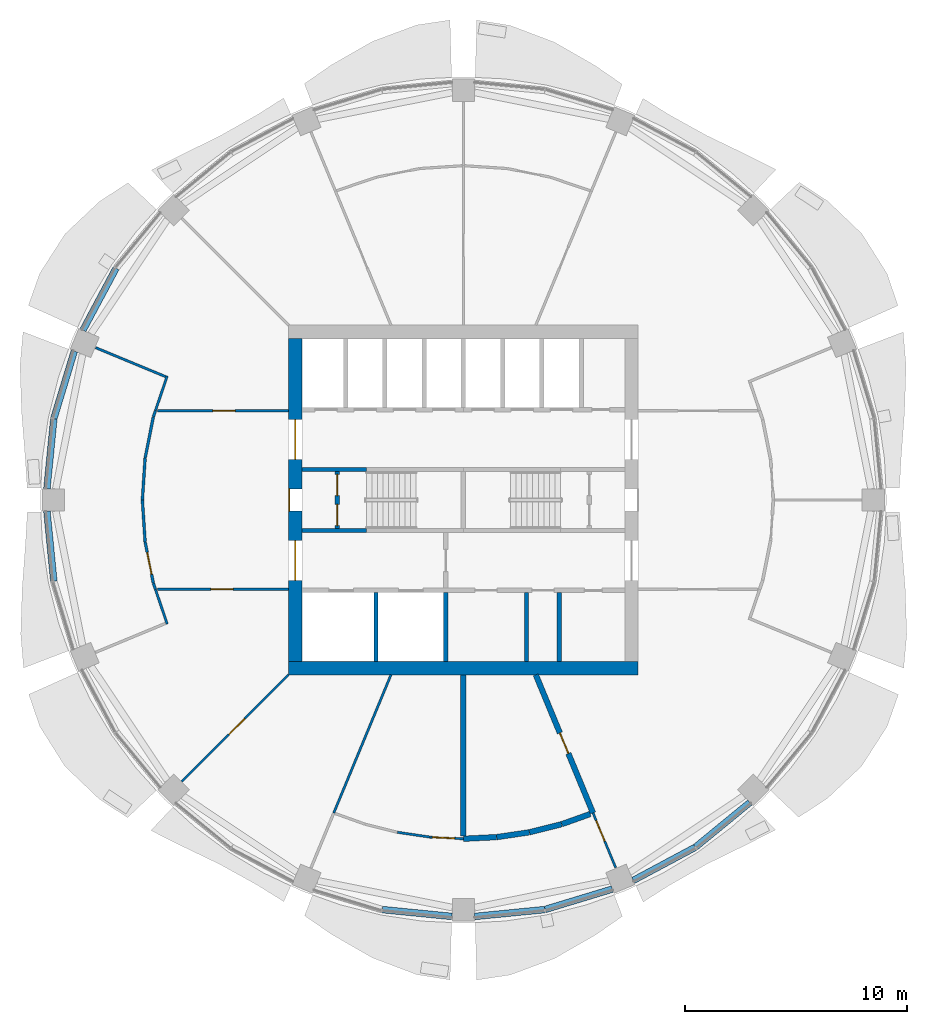
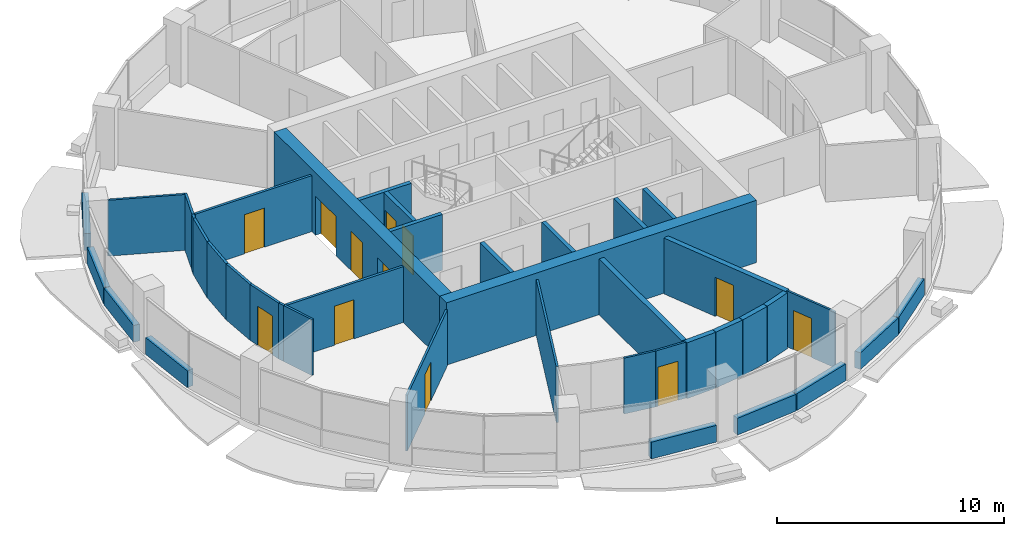
# One storey, part 8 of 15: 40 walls, 12 doors, 12 openings.
"""IFC4 building model written with IfcOpenShell, lengths in metres."""

import ifcopenshell
import ifcopenshell.guid

model = None  # the IFC model being written
_history = None  # IfcOwnerHistory: only IFC2X3 demands one
_inside = {}  # id of a spatial element -> (the spatial element, [elements in it])
_under = {}  # id of a project, library or spatial element -> (it, [spatial elements below it])
_declared = {}  # id of a project -> (the project, [libraries it declares])
_typed = {}  # id of a type object -> (the type object, [elements of that type])
_made_of = {}  # id of a material, layer set ... -> (it, [elements and type objects made of it])


def new_model(schema):
    """Start an empty IFC model of exactly this schema.

    Asked for "IFC4X3", IfcOpenShell would pick the latest addendum, in which some entities
    have other attributes; the version numbers below select the first issue.
    IFC2X3 requires an IfcOwnerHistory on every rooted entity: one is made here for all.
    """
    global model, _history
    if schema == "IFC4X3":
        model = ifcopenshell.file(schema_version=(4, 3, 0, 0))
    else:
        model = ifcopenshell.file(schema=schema)
    _inside.clear()
    _under.clear()
    _declared.clear()
    _typed.clear()
    _made_of.clear()
    _history = None
    if model.schema == "IFC2X3":
        org = make("IfcOrganization", Name="unknown")
        user = make(
            "IfcPersonAndOrganization",
            ThePerson=make("IfcPerson", FamilyName="unknown"),
            TheOrganization=org,
        )
        app = make(
            "IfcApplication",
            ApplicationDeveloper=org,
            Version="unknown",
            ApplicationFullName="unknown",
            ApplicationIdentifier="unknown",
        )
        _history = make(
            "IfcOwnerHistory",
            OwningUser=user,
            OwningApplication=app,
            ChangeAction="ADDED",
            CreationDate=0,
        )
    return model


def make(cls, **values):
    """One entity of the class cls with the attributes given. An attribute that is None is left unset."""
    return model.create_entity(
        cls, **{name: value for name, value in values.items() if value is not None}
    )


def rooted(cls, **values):
    """An entity with a GlobalId (a new one), such as an element, a storey or a relation."""
    return make(cls, GlobalId=ifcopenshell.guid.new(), OwnerHistory=_history, **values)


def si_unit(unit_type, name, prefix=None):
    """IfcSIUnit, for example si_unit("LENGTHUNIT", "METRE", prefix="MILLI")."""
    return make("IfcSIUnit", UnitType=unit_type, Prefix=prefix, Name=name)


def assignment(units):
    """IfcUnitAssignment: the units of a project."""
    return None if units is None else make("IfcUnitAssignment", Units=units)


def point(xyz):
    """IfcCartesianPoint."""
    return None if xyz is None else make("IfcCartesianPoint", Coordinates=xyz)


def direction(xyz):
    """IfcDirection."""
    return None if xyz is None else make("IfcDirection", DirectionRatios=xyz)


def frame(location, z_axis=None, x_axis=None):
    """IfcAxis2Placement3D, a coordinate frame: its origin and axes. An axis left out is left unset."""
    return make(
        "IfcAxis2Placement3D",
        Location=point(location),
        Axis=direction(z_axis),
        RefDirection=direction(x_axis),
    )


def frame_2d(location, x_axis=None):
    """IfcAxis2Placement2D, a coordinate frame in the plane: its origin and x axis."""
    return make(
        "IfcAxis2Placement2D", Location=point(location), RefDirection=direction(x_axis)
    )


def origin():
    """The frame at (0, 0, 0) with its axes left unset."""
    return frame((0.0, 0.0, 0.0))


def place(relative_to, where):
    """IfcLocalPlacement: puts the frame where relative to a parent placement (None: the world)."""
    return make(
        "IfcLocalPlacement", PlacementRelTo=relative_to, RelativePlacement=where
    )


def context(
    kind, dimensions, precision=None, world=None, true_north=None, identifier=None
):
    """IfcGeometricRepresentationContext, for example the 3D "Model" context."""
    return make(
        "IfcGeometricRepresentationContext",
        ContextIdentifier=identifier,
        ContextType=kind,
        CoordinateSpaceDimension=dimensions,
        Precision=precision,
        WorldCoordinateSystem=world,
        TrueNorth=true_north,
    )


def subcontext(parent, identifier, kind, view, scale=None):
    """IfcGeometricRepresentationSubContext, for example "Body" below "Model"."""
    return make(
        "IfcGeometricRepresentationSubContext",
        ContextIdentifier=identifier,
        ContextType=kind,
        ParentContext=parent,
        TargetScale=scale,
        TargetView=view,
    )


def project(units=None, contexts=None):
    """IfcProject with its units and contexts."""
    return rooted(
        "IfcProject",
        Name="project",
        RepresentationContexts=contexts,
        UnitsInContext=assignment(units),
    )


def spatial(cls, under=None, at=None, **own):
    """A site, building, storey or space (cls), placed at a placement, below another one or the project."""
    s = rooted(cls, ObjectPlacement=at, **own)
    if under is not None:
        _under.setdefault(under.id(), (under, []))[1].append(s)
    return s


def profile(cls, at=None, kind="AREA", **sizes):
    """A parametric profile (cls). Its sizes go by their IFC names, for example OverallWidth=200.0."""
    return make(cls, ProfileType=kind, Position=at, **sizes)


def rectangle(**sizes):
    """IfcRectangleProfileDef."""
    return profile("IfcRectangleProfileDef", **sizes)


def extrude(swept, where, along, depth):
    """IfcExtrudedAreaSolid: the profile swept, set in the frame where, extruded along a direction by depth."""
    return make(
        "IfcExtrudedAreaSolid",
        SweptArea=swept,
        Position=where,
        ExtrudedDirection=direction(along),
        Depth=depth,
    )


def shape(context_of_items, identifier, shape_type, items):
    """IfcShapeRepresentation: the items that make up one representation, for example the "Body"."""
    return make(
        "IfcShapeRepresentation",
        ContextOfItems=context_of_items,
        RepresentationIdentifier=identifier,
        RepresentationType=shape_type,
        Items=items,
    )


def material(Name=None, Category=None):
    """IfcMaterial."""
    return make("IfcMaterial", Name=Name, Category=Category)


def layer(
    of_material, thickness, ventilated=None, Name=None, Category=None, Priority=None
):
    """IfcMaterialLayer: one layer of a wall or slab, of a material (None: an air gap)."""
    return make(
        "IfcMaterialLayer",
        Material=of_material,
        LayerThickness=thickness,
        IsVentilated=ventilated,
        Name=Name,
        Category=Category,
        Priority=Priority,
    )


def layer_set(layers, Name=None):
    """IfcMaterialLayerSet."""
    return make("IfcMaterialLayerSet", MaterialLayers=layers, LayerSetName=Name)


def made_of(thing, what):
    """Note that an element or type object is made of a material, layer set ...; save() writes the relation."""
    if what is not None:
        _made_of.setdefault(what.id(), (what, []))[1].append(thing)
    return thing


def type_object(cls, material=None, **own):
    """A type object (cls), such as IfcWallType, which elements share."""
    return made_of(rooted(cls, **own), material)


def element(
    cls,
    number,
    at=None,
    inside=None,
    cuts=None,
    type_object=None,
    material=None,
    context=None,
    identifier="Body",
    shape_type=None,
    held_by="IfcProductDefinitionShape",
    body=None,
    shapes=None,
    **own,
):
    """One element of the class cls, such as IfcWall. Its Tag is "e" and its number.

    at: its placement. inside: the storey or other place that contains it. cuts: it is an
    opening in that element (IfcRelVoidsElement). A single representation is given by context,
    identifier, shape_type and body (its items); several are given by shapes. held_by: the class
    of the entity that holds the representations. save() writes the other relations.
    """
    e = rooted(cls, Tag="e%d" % number, ObjectPlacement=at, **own)
    if body is not None:
        shapes = [shape(context, identifier, shape_type, body)]
    if shapes is not None:
        e.Representation = make(held_by, Representations=shapes)
    if inside is not None:
        _inside.setdefault(inside.id(), (inside, []))[1].append(e)
    if cuts is not None:
        rooted(
            "IfcRelVoidsElement", RelatingBuildingElement=cuts, RelatedOpeningElement=e
        )
    if type_object is not None:
        _typed.setdefault(type_object.id(), (type_object, []))[1].append(e)
    return made_of(e, material)


def fill(opening, filler):
    """IfcRelFillsElement: the door or window that sits in an opening."""
    return rooted(
        "IfcRelFillsElement",
        RelatingOpeningElement=opening,
        RelatedBuildingElement=filler,
    )


def aggregate(whole, parts):
    """IfcRelAggregates: a whole, such as a stair, and the parts it consists of."""
    return rooted("IfcRelAggregates", RelatingObject=whole, RelatedObjects=parts)


def save(model, path):
    """Write the relations noted so far, then the file.

    IfcRelAggregates (storeys below a building ...), IfcRelContainedInSpatialStructure (elements
    in a storey), IfcRelDefinesByType, IfcRelAssociatesMaterial and IfcRelDeclares: one each for
    every whole, place, type object, material and project.
    """
    for whole, parts in _under.values():
        aggregate(whole, parts)
    for where, things in _inside.values():
        rooted(
            "IfcRelContainedInSpatialStructure",
            RelatedElements=things,
            RelatingStructure=where,
        )
    for kind, things in _typed.values():
        rooted("IfcRelDefinesByType", RelatedObjects=things, RelatingType=kind)
    for what, things in _made_of.values():
        rooted("IfcRelAssociatesMaterial", RelatedObjects=things, RelatingMaterial=what)
    for by, libraries in _declared.values():
        rooted("IfcRelDeclares", RelatingContext=by, RelatedDefinitions=libraries)
    model.write(path)


model = new_model("IFC4")

# Units and contexts
model_context = context("Model", 3, precision=1e-05, world=origin(), true_north=direction((0.0, 1.0)))
body_context = subcontext(model_context, "Body", "Model", "MODEL_VIEW")
ifc_project = project(units=[si_unit("LENGTHUNIT", "METRE"), si_unit("AREAUNIT", "SQUARE_METRE"), si_unit("VOLUMEUNIT", "CUBIC_METRE"), si_unit("PLANEANGLEUNIT", "RADIAN"), si_unit("MASSUNIT", "GRAM", prefix="KILO")], contexts=[model_context])

# Site, building, storey
site_placement = place(None, origin())
site = spatial("IfcSite", under=ifc_project, at=site_placement, CompositionType="ELEMENT")
building_placement = place(site_placement, origin())
building = spatial("IfcBuilding", under=site, at=building_placement, Name="Polderwave Tower", CompositionType="ELEMENT")
storey_placement = place(building_placement, frame((0.0, 0.0, 124.300048828125)))
storey = spatial("IfcBuildingStorey", under=building, at=storey_placement, Name="L32", CompositionType="ELEMENT", Elevation=124.300048828125)

# Wall
ifc_material_1 = material(Name="Concrete C60/75", Category="concrete")
ifc_layer_1 = layer(ifc_material_1, 0.60009765625)
ifc_layer_set_1 = layer_set([ifc_layer_1], Name="CORE WALL 600 C60/75")
wall_type_1 = type_object("IfcWallType", Name="CORE WALL 600 C60/75", PredefinedType="SHEAR", material=ifc_layer_set_1)
wall_1_placement = place(storey_placement, frame((-7.8740234375, -7.573974609375, 0.0), z_axis=(0.0, 0.0, 1.0), x_axis=(1.0, 0.0, 0.0)))
element("IfcWall", 1, at=wall_1_placement, inside=storey, type_object=wall_type_1, Name="ST-CORE-L32-S", PredefinedType="SHEAR", context=body_context, shape_type="SweptSolid", body=[
    extrude(rectangle(XDim=15.748046875, YDim=0.60009765625, at=frame_2d((7.8740234375, 0.0))), origin(), (0.0, 0.0, 1.0), 3.349853515625),
])

# Wall, openings, doors
wall_2_placement = place(storey_placement, frame((-7.573974609375, -7.27392578125, 0.0), z_axis=(0.0, 0.0, 1.0), x_axis=(0.0, 1.0, 0.0)))
wall_2 = element("IfcWall", 2, at=wall_2_placement, inside=storey, type_object=wall_type_1, Name="ST-CORE-L32-W", PredefinedType="SHEAR", context=body_context, shape_type="SweptSolid", body=[
    extrude(rectangle(XDim=14.5478515625, YDim=0.60009765625, at=frame_2d((7.27392578125, 0.0))), origin(), (0.0, 0.0, 1.0), 3.349853515625),
])
opening_1_placement = place(wall_2_placement, frame((6.77392578125, 0.0, 0.0)))
opening_1 = element("IfcOpeningElement", 3, at=opening_1_placement, cuts=wall_2, Name="Opening L32-D19", PredefinedType="OPENING", context=body_context, shape_type="SweptSolid", body=[
    extrude(rectangle(XDim=1.0, YDim=2.10009765625, at=frame_2d((0.5, 1.050048828125))), frame((0.0, 0.31005859375, 0.0), z_axis=(0.0, -1.0, 0.0), x_axis=(1.0, 0.0, 0.0)), (0.0, 0.0, 1.0), 0.6201171875),
])
opening_2_placement = place(wall_2_placement, frame((3.6494140625, 0.0, 0.0)))
opening_2 = element("IfcOpeningElement", 4, at=opening_2_placement, cuts=wall_2, Name="Opening L32-D20", PredefinedType="OPENING", context=body_context, shape_type="SweptSolid", body=[
    extrude(rectangle(XDim=1.800048828125, YDim=2.10009765625, at=frame_2d((0.89990234375, 1.050048828125))), frame((0.0, 0.31005859375, 0.0), z_axis=(0.0, -1.0, 0.0), x_axis=(1.0, 0.0, 0.0)), (0.0, 0.0, 1.0), 0.6201171875),
])
opening_3_placement = place(wall_2_placement, frame((9.098388671875, 0.0, 0.0)))
opening_3 = element("IfcOpeningElement", 5, at=opening_3_placement, cuts=wall_2, Name="Opening L32-D21", PredefinedType="OPENING", context=body_context, shape_type="SweptSolid", body=[
    extrude(rectangle(XDim=1.800048828125, YDim=2.10009765625, at=frame_2d((0.89990234375, 1.050048828125))), frame((0.0, 0.31005859375, 0.0), z_axis=(0.0, -1.0, 0.0), x_axis=(1.0, 0.0, 0.0)), (0.0, 0.0, 1.0), 0.6201171875),
])
ifc_material_2 = material(Name="Steel fire door", Category="steel")
door_type_1 = type_object("IfcDoorType", Name="Lobby entry door pair 1800", OperationType="DOUBLE_DOOR_SINGLE_SWING", PredefinedType="DOOR", material=ifc_material_2)
door_1_placement = place(opening_2_placement, origin())
door_1 = element("IfcDoor", 6, at=door_1_placement, inside=storey, type_object=door_type_1, Name="Fire-fighting lobby entry door", OperationType="DOUBLE_DOOR_SINGLE_SWING", OverallHeight=2.10009765625, OverallWidth=1.800048828125, PredefinedType="DOOR", context=body_context, shape_type="SweptSolid", body=[
    extrude(rectangle(XDim=1.800048828125, YDim=2.10009765625, at=frame_2d((0.89990234375, 1.050048828125))), frame((0.0, 0.02490234375, 0.0), z_axis=(0.0, -1.0, 0.0), x_axis=(1.0, 0.0, 0.0)), (0.0, 0.0, 1.0), 0.050048828125),
])
fill(opening_2, door_1)
door_2_placement = place(opening_3_placement, origin())
door_2 = element("IfcDoor", 7, at=door_2_placement, inside=storey, type_object=door_type_1, Name="North lobby entry door", OperationType="DOUBLE_DOOR_SINGLE_SWING", OverallHeight=2.10009765625, OverallWidth=1.800048828125, PredefinedType="DOOR", context=body_context, shape_type="SweptSolid", body=[
    extrude(rectangle(XDim=1.800048828125, YDim=2.10009765625, at=frame_2d((0.89990234375, 1.050048828125))), frame((0.0, 0.02490234375, 0.0), z_axis=(0.0, -1.0, 0.0), x_axis=(1.0, 0.0, 0.0)), (0.0, 0.0, 1.0), 0.050048828125),
])
fill(opening_3, door_2)
door_type_2 = type_object("IfcDoorType", Name="Stair door 1000", OperationType="NOTDEFINED", PredefinedType="DOOR", material=ifc_material_2)
door_3_placement = place(opening_1_placement, origin())
door_3 = element("IfcDoor", 8, at=door_3_placement, inside=storey, type_object=door_type_2, Name="Stair A entry door", OperationType="SINGLE_SWING_RIGHT", OverallHeight=2.10009765625, OverallWidth=1.0, PredefinedType="DOOR", context=body_context, shape_type="SweptSolid", body=[
    extrude(rectangle(XDim=1.0, YDim=2.10009765625, at=frame_2d((0.5, 1.050048828125))), frame((0.0, 0.2998046875, 0.0), z_axis=(0.0, -1.0, 0.0), x_axis=(1.0, 0.0, 0.0)), (0.0, 0.0, 1.0), 0.050048828125),
])
fill(opening_1, door_3)

# Walls
ifc_material_3 = material(Name="Concrete C50/60 (board-marked)", Category="concrete")
ifc_layer_2 = layer(ifc_material_3, 0.300048828125)
ifc_layer_set_2 = layer_set([ifc_layer_2], Name="Concrete spandrel upstand C50/60")
wall_type_2 = type_object("IfcWallType", Name="Concrete spandrel upstand C50/60", PredefinedType="SOLIDWALL", material=ifc_layer_set_2)
wall_3_placement = place(storey_placement, frame((-15.647216796875, 10.436767578125, 0.0), z_axis=(0.0, 0.0, 1.0), x_axis=(-0.471527722113, -0.881851238747, 0.0)))
element("IfcWall", 9, at=wall_3_placement, inside=storey, type_object=wall_type_2, Name="Spandrel L32 7b", PredefinedType="SOLIDWALL", context=body_context, shape_type="SweptSolid", body=[
    extrude(rectangle(XDim=3.1552734375, YDim=0.300048828125, at=frame_2d((1.57763671875, 0.0))), origin(), (0.0, 0.0, 1.0), 0.89990234375),
])
wall_4_placement = place(storey_placement, frame((-17.52734375, 6.70458984375, 0.0), z_axis=(0.0, 0.0, 1.0), x_axis=(-0.290503096001, -0.956874051907, 0.0)))
element("IfcWall", 10, at=wall_4_placement, inside=storey, type_object=wall_type_2, Name="Spandrel L32 8a", PredefinedType="SOLIDWALL", context=body_context, shape_type="SweptSolid", body=[
    extrude(rectangle(XDim=3.157470703125, YDim=0.300048828125, at=frame_2d((1.57861328125, 0.0))), origin(), (0.0, 0.0, 1.0), 0.89990234375),
])
for number, where, z_axis, x_axis, name in (
    (11, (-18.450439453125, 3.654052734375, 0.0), (0.0, 0.0, 1.0), (-0.097956108817, -0.995190735862, 0.0), "Spandrel L32 8b"),
    (12, (-18.759521484375, -0.513916015625, 0.0), (0.0, 0.0, 1.0), (0.097956108817, -0.995190735862, 0.0), "Spandrel L32 9a"),
    (13, (-3.654052734375, -18.450439453125, 0.0), (0.0, 0.0, 1.0), (0.995190735862, -0.097956108817, 0.0), "Spandrel L32 12b"),
    (14, (0.513916015625, -18.759521484375, 0.0), (0.0, 0.0, 1.0), (0.995190735862, 0.097956108817, 0.0), "Spandrel L32 13a"),
):
    element("IfcWall", number, at=place(storey_placement, frame(where, z_axis=z_axis, x_axis=x_axis)), inside=storey, type_object=wall_type_2, Name=name, PredefinedType="SOLIDWALL", context=body_context, shape_type="SweptSolid", body=[
        extrude(rectangle(XDim=3.1552734375, YDim=0.300048828125, at=frame_2d((1.57763671875, 0.0))), origin(), (0.0, 0.0, 1.0), 0.89990234375),
    ])
wall_5_placement = place(storey_placement, frame((3.683349609375, -18.444580078125, 0.0), z_axis=(0.0, 0.0, 1.0), x_axis=(0.956874051907, 0.290503096001, 0.0)))
element("IfcWall", 15, at=wall_5_placement, inside=storey, type_object=wall_type_2, Name="Spandrel L32 13b", PredefinedType="SOLIDWALL", context=body_context, shape_type="SweptSolid", body=[
    extrude(rectangle(XDim=3.157470703125, YDim=0.300048828125, at=frame_2d((1.57861328125, 0.0))), origin(), (0.0, 0.0, 1.0), 0.89990234375),
])
wall_6_placement = place(storey_placement, frame((7.654296875, -17.135009765625, 0.0), z_axis=(0.0, 0.0, 1.0), x_axis=(0.881851238747, 0.471527722113, 0.0)))
element("IfcWall", 16, at=wall_6_placement, inside=storey, type_object=wall_type_2, Name="Spandrel L32 14a", PredefinedType="SOLIDWALL", context=body_context, shape_type="SweptSolid", body=[
    extrude(rectangle(XDim=3.1552734375, YDim=0.300048828125, at=frame_2d((1.57763671875, 0.0))), origin(), (0.0, 0.0, 1.0), 0.89990234375),
])
wall_7_placement = place(storey_placement, frame((10.461669921875, -15.630615234375, 0.0), z_axis=(0.0, 0.0, 1.0), x_axis=(0.773136573193, 0.634239575548, 0.0)))
element("IfcWall", 17, at=wall_7_placement, inside=storey, type_object=wall_type_2, Name="Spandrel L32 14b", PredefinedType="SOLIDWALL", context=body_context, shape_type="SweptSolid", body=[
    extrude(rectangle(XDim=3.15673828125, YDim=0.300048828125, at=frame_2d((1.578369140625, 0.0))), origin(), (0.0, 0.0, 1.0), 0.89990234375),
])
ifc_material_4 = material(Name="Gypsum board partition")
ifc_layer_3 = layer(ifc_material_4, 0.199951171875)
ifc_layer_set_3 = layer_set([ifc_layer_3], Name="Core room partition 200")
wall_type_3 = type_object("IfcWallType", Name="Core room partition 200", PredefinedType="PARTITIONING", material=ifc_layer_set_3)
for number, where, z_axis, x_axis, name in (
    (18, (2.8427734375, -7.27392578125, 0.0), (0.0, 0.0, 1.0), (0.0, 1.0, 0.0), "L32 room partition S1"),
    (19, (4.321533203125, -7.27392578125, 0.0), (0.0, 0.0, 1.0), (0.0, 1.0, 0.0), "L32 room partition S2"),
):
    element("IfcWall", number, at=place(storey_placement, frame(where, z_axis=z_axis, x_axis=x_axis)), inside=storey, type_object=wall_type_3, Name=name, PredefinedType="PARTITIONING", context=body_context, shape_type="SweptSolid", body=[
        extrude(rectangle(XDim=3.099853515625, YDim=0.199951171875, at=frame_2d((1.5498046875, 0.0))), origin(), (0.0, 0.0, 1.0), 3.0),
    ])

# Wall, openings, doors
wall_8_placement = place(storey_placement, frame((-5.674072265625, -1.27490234375, 0.0), z_axis=(0.0, 0.0, 1.0), x_axis=(0.0, 1.0, 0.0)))
wall_8 = element("IfcWall", 20, at=wall_8_placement, inside=storey, type_object=wall_type_3, Name="L32 smoke lobby wall A", PredefinedType="PARTITIONING", context=body_context, shape_type="SweptSolid", body=[
    extrude(rectangle(XDim=2.5498046875, YDim=0.199951171875, at=frame_2d((1.27490234375, 0.0))), origin(), (0.0, 0.0, 1.0), 3.0),
])
opening_4_placement = place(wall_8_placement, frame((0.125, 0.0, 0.0)))
opening_4 = element("IfcOpeningElement", 21, at=opening_4_placement, cuts=wall_8, Name="Opening L32-D10", PredefinedType="OPENING", context=body_context, shape_type="SweptSolid", body=[
    extrude(rectangle(XDim=0.949951171875, YDim=2.10009765625, at=frame_2d((0.47509765625, 1.050048828125))), frame((0.0, 0.10986328125, 0.0), z_axis=(0.0, -1.0, 0.0), x_axis=(1.0, 0.0, 0.0)), (0.0, 0.0, 1.0), 0.219970703125),
])
opening_5_placement = place(wall_8_placement, frame((1.47509765625, 0.0, 0.0)))
opening_5 = element("IfcOpeningElement", 22, at=opening_5_placement, cuts=wall_8, Name="Opening L32-D11", PredefinedType="OPENING", context=body_context, shape_type="SweptSolid", body=[
    extrude(rectangle(XDim=0.949951171875, YDim=2.10009765625, at=frame_2d((0.47509765625, 1.050048828125))), frame((0.0, 0.10986328125, 0.0), z_axis=(0.0, -1.0, 0.0), x_axis=(1.0, 0.0, 0.0)), (0.0, 0.0, 1.0), 0.219970703125),
])
door_type_3 = type_object("IfcDoorType", Name="Smoke lobby door 950", OperationType="NOTDEFINED", PredefinedType="DOOR", material=ifc_material_2)
door_4_placement = place(opening_4_placement, origin())
door_4 = element("IfcDoor", 23, at=door_4_placement, inside=storey, type_object=door_type_3, Name="Stair A smoke lobby inner door", OperationType="SINGLE_SWING_LEFT", OverallHeight=2.10009765625, OverallWidth=0.949951171875, PredefinedType="DOOR", context=body_context, shape_type="SweptSolid", body=[
    extrude(rectangle(XDim=0.949951171875, YDim=2.10009765625, at=frame_2d((0.47509765625, 1.050048828125))), frame((0.0, 0.02490234375, 0.0), z_axis=(0.0, -1.0, 0.0), x_axis=(1.0, 0.0, 0.0)), (0.0, 0.0, 1.0), 0.050048828125),
])
fill(opening_4, door_4)
door_5_placement = place(opening_5_placement, origin())
door_5 = element("IfcDoor", 24, at=door_5_placement, inside=storey, type_object=door_type_3, Name="Stair A smoke lobby inner door", OperationType="SINGLE_SWING_RIGHT", OverallHeight=2.10009765625, OverallWidth=0.949951171875, PredefinedType="DOOR", context=body_context, shape_type="SweptSolid", body=[
    extrude(rectangle(XDim=0.949951171875, YDim=2.10009765625, at=frame_2d((0.47509765625, 1.050048828125))), frame((0.0, 0.02490234375, 0.0), z_axis=(0.0, -1.0, 0.0), x_axis=(1.0, 0.0, 0.0)), (0.0, 0.0, 1.0), 0.050048828125),
])
fill(opening_5, door_5)

# Walls
ifc_material_5 = material(Name="Concrete C50/60", Category="concrete")
ifc_layer_4 = layer(ifc_material_5, 0.199951171875)
ifc_layer_set_4 = layer_set([ifc_layer_4], Name="Core web wall 200")
wall_type_4 = type_object("IfcWallType", Name="Core web wall 200", PredefinedType="SHEAR", material=ifc_layer_set_4)
for number, where, z_axis, x_axis, name in (
    (25, (-7.27392578125, -1.375, 0.0), (0.0, 0.0, 1.0), (1.0, 0.0, 0.0), "L32 south stair wall 1"),
    (26, (-7.27392578125, 1.375, 0.0), (0.0, 0.0, 1.0), (1.0, 0.0, 0.0), "L32 north stair wall 1"),
):
    element("IfcWall", number, at=place(storey_placement, frame(where, z_axis=z_axis, x_axis=x_axis)), inside=storey, type_object=wall_type_4, Name=name, PredefinedType="SHEAR", context=body_context, shape_type="SweptSolid", body=[
        extrude(rectangle(XDim=2.89990234375, YDim=0.199951171875, at=frame_2d((1.449951171875, 0.0))), origin(), (0.0, 0.0, 1.0), 3.0),
    ])

# Wall, opening, door
ifc_material_6 = material(Name="Fire-resisting board on steel studs", Category="steel")
ifc_layer_5 = layer(ifc_material_6, 0.125)
ifc_layer_set_5 = layer_set([ifc_layer_5], Name="Corridor wall 125 mm EI 60")
wall_type_5 = type_object("IfcWallType", Name="Corridor wall 125 mm EI 60", PredefinedType="PARTITIONING", material=ifc_layer_set_5)
wall_9_placement = place(storey_placement, frame((-13.784423828125, 4.0244140625, 0.0), z_axis=(0.0, 0.0, 1.0), x_axis=(1.0, 0.0, 0.0)))
wall_9 = element("IfcWall", 27, at=wall_9_placement, inside=storey, type_object=wall_type_5, Name="IN-L32-W009", PredefinedType="PARTITIONING", context=body_context, shape_type="SweptSolid", body=[
    extrude(rectangle(XDim=5.910400390625, YDim=0.125, at=frame_2d((2.955078125, 0.0))), origin(), (0.0, 0.0, 1.0), 3.0),
])
opening_6_placement = place(wall_9_placement, frame((2.5, 0.0, 0.0)))
opening_6 = element("IfcOpeningElement", 28, at=opening_6_placement, cuts=wall_9, Name="Opening L32-D54", PredefinedType="OPENING", context=body_context, shape_type="SweptSolid", body=[
    extrude(rectangle(XDim=1.0, YDim=2.10009765625, at=frame_2d((0.5, 1.050048828125))), frame((0.0, 0.072509765625, 0.0), z_axis=(0.0, -1.0, 0.0), x_axis=(1.0, 0.0, 0.0)), (0.0, 0.0, 1.0), 0.14501953125),
])
ifc_material_7 = material(Name="Timber fire door leaf", Category="wood")
door_type_4 = type_object("IfcDoorType", Name="Fire door FD30S 1000 x 2100", OperationType="NOTDEFINED", PredefinedType="DOOR", material=ifc_material_7)
door_6_placement = place(opening_6_placement, origin())
door_6 = element("IfcDoor", 29, at=door_6_placement, inside=storey, type_object=door_type_4, Name="Door L32-D54", OperationType="SINGLE_SWING_RIGHT", OverallHeight=2.10009765625, OverallWidth=1.0, PredefinedType="DOOR", context=body_context, shape_type="SweptSolid", body=[
    extrude(rectangle(XDim=1.0, YDim=2.10009765625, at=frame_2d((0.5, 1.050048828125))), frame((0.0, 0.02490234375, 0.0), z_axis=(0.0, -1.0, 0.0), x_axis=(1.0, 0.0, 0.0)), (0.0, 0.0, 1.0), 0.050048828125),
])
fill(opening_6, door_6)

# Walls
for number, where, z_axis, x_axis, name in (
    (30, (-14.459716796875, 0.004150390625, 0.0), (0.0, 0.0, 1.0), (0.065340129587, 0.997863050456, 0.0), "IN-L32-W010"),
    (31, (-14.336669921875, -1.88330078125, 0.0), (0.0, 0.0, 1.0), (-0.065340129587, 0.997863050456, 0.0), "IN-L32-W011"),
):
    element("IfcWall", number, at=place(storey_placement, frame(where, z_axis=z_axis, x_axis=x_axis)), inside=storey, type_object=wall_type_5, Name=name, PredefinedType="PARTITIONING", context=body_context, shape_type="SweptSolid", body=[
        extrude(rectangle(XDim=1.883056640625, YDim=0.125, at=frame_2d((0.94140625, 0.0))), origin(), (0.0, 0.0, 1.0), 3.0),
    ])
wall_10_placement = place(storey_placement, frame((-14.33544921875, 1.891357421875, 0.0), z_axis=(0.0, 0.0, 1.0), x_axis=(0.195093941763, 0.980784560384, 0.0)))
element("IfcWall", 32, at=wall_10_placement, inside=storey, type_object=wall_type_5, Name="IN-L32-W012", PredefinedType="PARTITIONING", context=body_context, shape_type="SweptSolid", body=[
    extrude(rectangle(XDim=1.88330078125, YDim=0.125, at=frame_2d((0.941650390625, 0.0))), origin(), (0.0, 0.0, 1.0), 3.0),
])

# Wall, opening, door
wall_11_placement = place(storey_placement, frame((-13.968017578125, -3.738525390625, 0.0), z_axis=(0.0, 0.0, 1.0), x_axis=(-0.195093941763, 0.980784560384, 0.0)))
wall_11 = element("IfcWall", 33, at=wall_11_placement, inside=storey, type_object=wall_type_5, Name="IN-L32-W013", PredefinedType="PARTITIONING", context=body_context, shape_type="SweptSolid", body=[
    extrude(rectangle(XDim=1.88330078125, YDim=0.125, at=frame_2d((0.941650390625, 0.0))), origin(), (0.0, 0.0, 1.0), 3.0),
])
opening_7_placement = place(wall_11_placement, frame((0.39990234375, 0.0, 0.0)))
opening_7 = element("IfcOpeningElement", 34, at=opening_7_placement, cuts=wall_11, Name="Opening L32-D55", PredefinedType="OPENING", context=body_context, shape_type="SweptSolid", body=[
    extrude(rectangle(XDim=1.0, YDim=2.10009765625, at=frame_2d((0.5, 1.050048828125))), frame((0.0, 0.072509765625, 0.0), z_axis=(0.0, -1.0, 0.0), x_axis=(1.0, 0.0, 0.0)), (0.0, 0.0, 1.0), 0.14501953125),
])
door_7_placement = place(opening_7_placement, origin())
door_7 = element("IfcDoor", 35, at=door_7_placement, inside=storey, type_object=door_type_4, Name="Door L32-D55", OperationType="SINGLE_SWING_LEFT", OverallHeight=2.10009765625, OverallWidth=1.0, PredefinedType="DOOR", context=body_context, shape_type="SweptSolid", body=[
    extrude(rectangle(XDim=1.0, YDim=2.10009765625, at=frame_2d((0.5, 1.050048828125))), frame((0.0, 0.02490234375, 0.0), z_axis=(0.0, -1.0, 0.0), x_axis=(1.0, 0.0, 0.0)), (0.0, 0.0, 1.0), 0.050048828125),
])
fill(opening_7, door_7)

# Walls
for number, where, z_axis, x_axis, name in (
    (36, (-13.966064453125, 3.746337890625, 0.0), (0.0, 0.0, 1.0), (0.321708987491, 0.94683859626, 0.0), "IN-L32-W014"),
    (37, (-13.87158203125, -4.0244140625, 0.0), (0.0, 0.0, 1.0), (-0.321708987491, 0.94683859626, 0.0), "IN-L32-W015"),
):
    element("IfcWall", number, at=place(storey_placement, frame(where, z_axis=z_axis, x_axis=x_axis)), inside=storey, type_object=wall_type_5, Name=name, PredefinedType="PARTITIONING", context=body_context, shape_type="SweptSolid", body=[
        extrude(rectangle(XDim=0.293701171875, YDim=0.125, at=frame_2d((0.14697265625, 0.0))), origin(), (0.0, 0.0, 1.0), 3.0),
    ])

# Wall, opening, door
wall_12_placement = place(storey_placement, frame((-7.8740234375, -4.0244140625, 0.0), z_axis=(0.0, 0.0, 1.0), x_axis=(-1.0, 0.0, 0.0)))
wall_12 = element("IfcWall", 38, at=wall_12_placement, inside=storey, type_object=wall_type_5, Name="IN-L32-W016", PredefinedType="PARTITIONING", context=body_context, shape_type="SweptSolid", body=[
    extrude(rectangle(XDim=5.910400390625, YDim=0.125, at=frame_2d((2.955078125, 0.0))), origin(), (0.0, 0.0, 1.0), 3.0),
])
opening_8_placement = place(wall_12_placement, frame((2.5, 0.0, 0.0)))
opening_8 = element("IfcOpeningElement", 39, at=opening_8_placement, cuts=wall_12, Name="Opening L32-D56", PredefinedType="OPENING", context=body_context, shape_type="SweptSolid", body=[
    extrude(rectangle(XDim=1.0, YDim=2.10009765625, at=frame_2d((0.5, 1.050048828125))), frame((0.0, 0.072509765625, 0.0), z_axis=(0.0, -1.0, 0.0), x_axis=(1.0, 0.0, 0.0)), (0.0, 0.0, 1.0), 0.14501953125),
])
door_8_placement = place(opening_8_placement, origin())
door_8 = element("IfcDoor", 40, at=door_8_placement, inside=storey, type_object=door_type_4, Name="Door L32-D56", OperationType="SINGLE_SWING_RIGHT", OverallHeight=2.10009765625, OverallWidth=1.0, PredefinedType="DOOR", context=body_context, shape_type="SweptSolid", body=[
    extrude(rectangle(XDim=1.0, YDim=2.10009765625, at=frame_2d((0.5, 1.050048828125))), frame((0.0, 0.02490234375, 0.0), z_axis=(0.0, -1.0, 0.0), x_axis=(1.0, 0.0, 0.0)), (0.0, 0.0, 1.0), 0.050048828125),
])
fill(opening_8, door_8)

ifc_material_8 = material(Name="Plasterboard on steel studs", Category="steel")
ifc_layer_6 = layer(ifc_material_8, 0.10009765625)
ifc_layer_set_6 = layer_set([ifc_layer_6], Name="Partition 100 mm plasterboard on steel studs")
wall_type_6 = type_object("IfcWallType", Name="Partition 100 mm plasterboard on steel studs", PredefinedType="PARTITIONING", material=ifc_layer_set_6)
wall_13_placement = place(storey_placement, frame((-7.8740234375, -7.8740234375, 0.0), z_axis=(0.0, 0.0, 1.0), x_axis=(-0.707106781187, -0.707106781187, 0.0)))
wall_13 = element("IfcWall", 41, at=wall_13_placement, inside=storey, type_object=wall_type_6, Name="IN-L32-W037", PredefinedType="PARTITIONING", context=body_context, shape_type="SweptSolid", body=[
    extrude(rectangle(XDim=6.79443359375, YDim=0.10009765625, at=frame_2d((3.397216796875, 0.0))), origin(), (0.0, 0.0, 1.0), 3.0),
])
opening_9_placement = place(wall_13_placement, frame((2.800048828125, 0.0, 0.0)))
opening_9 = element("IfcOpeningElement", 42, at=opening_9_placement, cuts=wall_13, Name="Opening L32-D62", PredefinedType="OPENING", context=body_context, shape_type="SweptSolid", body=[
    extrude(rectangle(XDim=1.0, YDim=2.10009765625, at=frame_2d((0.5, 1.050048828125))), frame((0.0, 0.06005859375, 0.0), z_axis=(0.0, -1.0, 0.0), x_axis=(1.0, 0.0, 0.0)), (0.0, 0.0, 1.0), 0.1201171875),
])
ifc_material_9 = material(Name="Timber veneer door leaf", Category="wood")
door_type_5 = type_object("IfcDoorType", Name="Single door 1000 x 2100", OperationType="NOTDEFINED", PredefinedType="DOOR", material=ifc_material_9)
door_9_placement = place(opening_9_placement, origin())
door_9 = element("IfcDoor", 43, at=door_9_placement, inside=storey, type_object=door_type_5, Name="Door L32-D62", OperationType="SINGLE_SWING_LEFT", OverallHeight=2.10009765625, OverallWidth=1.0, PredefinedType="DOOR", context=body_context, shape_type="SweptSolid", body=[
    extrude(rectangle(XDim=1.0, YDim=2.10009765625, at=frame_2d((0.5, 1.050048828125))), frame((0.0, 0.02490234375, 0.0), z_axis=(0.0, -1.0, 0.0), x_axis=(1.0, 0.0, 0.0)), (0.0, 0.0, 1.0), 0.050048828125),
])
fill(opening_9, door_9)

wall_14_placement = place(storey_placement, frame((6.861572265625, -16.565185546875, 0.0), z_axis=(0.0, 0.0, 1.0), x_axis=(-0.382744787218, 0.923854116112, 0.0)))
wall_14 = element("IfcWall", 44, at=wall_14_placement, inside=storey, type_object=wall_type_6, Name="IN-L32-W049", PredefinedType="PARTITIONING", context=body_context, shape_type="SweptSolid", body=[
    extrude(rectangle(XDim=2.670166015625, YDim=0.10009765625, at=frame_2d((1.3349609375, 0.0))), origin(), (0.0, 0.0, 1.0), 3.0),
])
opening_10_placement = place(wall_14_placement, frame((1.300048828125, 0.0, 0.0)))
opening_10 = element("IfcOpeningElement", 45, at=opening_10_placement, cuts=wall_14, Name="Opening L32-D64", PredefinedType="OPENING", context=body_context, shape_type="SweptSolid", body=[
    extrude(rectangle(XDim=1.0, YDim=2.10009765625, at=frame_2d((0.5, 1.050048828125))), frame((0.0, 0.06005859375, 0.0), z_axis=(0.0, -1.0, 0.0), x_axis=(1.0, 0.0, 0.0)), (0.0, 0.0, 1.0), 0.1201171875),
])
door_10_placement = place(opening_10_placement, origin())
door_10 = element("IfcDoor", 46, at=door_10_placement, inside=storey, type_object=door_type_5, Name="Door L32-D64", OperationType="SINGLE_SWING_RIGHT", OverallHeight=2.10009765625, OverallWidth=1.0, PredefinedType="DOOR", context=body_context, shape_type="SweptSolid", body=[
    extrude(rectangle(XDim=1.0, YDim=2.10009765625, at=frame_2d((0.5, 1.050048828125))), frame((0.0, 0.02490234375, 0.0), z_axis=(0.0, -1.0, 0.0), x_axis=(1.0, 0.0, 0.0)), (0.0, 0.0, 1.0), 0.050048828125),
])
fill(opening_10, door_10)

# Walls
ifc_material_10 = material(Name="Moisture-resistant board on steel studs, tiled", Category="steel")
ifc_layer_7 = layer(ifc_material_10, 0.10498046875)
ifc_layer_set_7 = layer_set([ifc_layer_7], Name="Partition 105 mm wet room board and tile")
wall_type_7 = type_object("IfcWallType", Name="Partition 105 mm wet room board and tile", PredefinedType="PARTITIONING", material=ifc_layer_set_7)
wall_15_placement = place(storey_placement, frame((-3.261474609375, -7.8740234375, 0.0), z_axis=(0.0, 0.0, 1.0), x_axis=(-0.382671840259, -0.923884334034, 0.0)))
element("IfcWall", 47, at=wall_15_placement, inside=storey, type_object=wall_type_7, Name="IN-L32-W038", PredefinedType="PARTITIONING", context=body_context, shape_type="SweptSolid", body=[
    extrude(rectangle(XDim=6.737060546875, YDim=0.10498046875, at=frame_2d((3.36865234375, 0.0))), origin(), (0.0, 0.0, 1.0), 3.0),
])
wall_16_placement = place(storey_placement, frame((-1.498291015625, -15.18603515625, 0.0), z_axis=(0.0, 0.0, 1.0), x_axis=(-0.98919994883, 0.146572375418, 0.0)))
element("IfcWall", 48, at=wall_16_placement, inside=storey, type_object=wall_type_7, Name="IN-L32-W042", PredefinedType="PARTITIONING", context=body_context, shape_type="SweptSolid", body=[
    extrude(rectangle(XDim=1.492431640625, YDim=0.10498046875, at=frame_2d((0.74609375, 0.0))), origin(), (0.0, 0.0, 1.0), 3.0),
])

# Wall, opening, door
wall_17_placement = place(storey_placement, frame((-1.4931640625, -15.1865234375, 0.0), z_axis=(0.0, 0.0, 1.0), x_axis=(0.99879112895, -0.049155678518, 0.0)))
wall_17 = element("IfcWall", 49, at=wall_17_placement, inside=storey, type_object=wall_type_7, Name="IN-L32-W043", PredefinedType="PARTITIONING", context=body_context, shape_type="SweptSolid", body=[
    extrude(rectangle(XDim=1.494873046875, YDim=0.10498046875, at=frame_2d((0.74755859375, 0.0))), origin(), (0.0, 0.0, 1.0), 3.0),
])
opening_11_placement = place(wall_17_placement, frame((0.10009765625, 0.0, 0.0)))
opening_11 = element("IfcOpeningElement", 50, at=opening_11_placement, cuts=wall_17, Name="Opening L32-D63", PredefinedType="OPENING", context=body_context, shape_type="SweptSolid", body=[
    extrude(rectangle(XDim=1.0, YDim=2.10009765625, at=frame_2d((0.5, 1.050048828125))), frame((0.0, 0.0625, 0.0), z_axis=(0.0, -1.0, 0.0), x_axis=(1.0, 0.0, 0.0)), (0.0, 0.0, 1.0), 0.125),
])
door_11_placement = place(opening_11_placement, origin())
door_11 = element("IfcDoor", 51, at=door_11_placement, inside=storey, type_object=door_type_5, Name="Door L32-D63", OperationType="SINGLE_SWING_LEFT", OverallHeight=2.10009765625, OverallWidth=1.0, PredefinedType="DOOR", context=body_context, shape_type="SweptSolid", body=[
    extrude(rectangle(XDim=1.0, YDim=2.10009765625, at=frame_2d((0.5, 1.050048828125))), frame((0.0, 0.02490234375, 0.0), z_axis=(0.0, -1.0, 0.0), x_axis=(1.0, 0.0, 0.0)), (0.0, 0.0, 1.0), 0.050048828125),
])
fill(opening_11, door_11)

# Walls
ifc_material_11 = material(Name="Acoustic double plasterboard on steel studs", Category="steel")
ifc_layer_8 = layer(ifc_material_11, 0.110107421875)
ifc_layer_set_8 = layer_set([ifc_layer_8], Name="Partition 110 mm acoustic double board")
wall_type_8 = type_object("IfcWallType", Name="Partition 110 mm acoustic double board", PredefinedType="PARTITIONING", material=ifc_layer_set_8)
wall_18_placement = place(storey_placement, frame((-13.87158203125, 4.0244140625, 0.0), z_axis=(0.0, 0.0, 1.0), x_axis=(0.321464693968, 0.946921565143, 0.0)))
element("IfcWall", 52, at=wall_18_placement, inside=storey, type_object=wall_type_8, Name="IN-L32-W033", PredefinedType="PARTITIONING", context=body_context, shape_type="SweptSolid", body=[
    extrude(rectangle(XDim=1.648681640625, YDim=0.110107421875, at=frame_2d((0.82421875, 0.0))), origin(), (0.0, 0.0, 1.0), 3.0),
])
wall_19_placement = place(storey_placement, frame((-13.41357421875, 5.55615234375, 0.0), z_axis=(0.0, 0.0, 1.0), x_axis=(-0.923881629558, 0.382678369606, 0.0)))
element("IfcWall", 53, at=wall_19_placement, inside=storey, type_object=wall_type_8, Name="IN-L32-W034", PredefinedType="PARTITIONING", context=body_context, shape_type="SweptSolid", body=[
    extrude(rectangle(XDim=3.411376953125, YDim=0.110107421875, at=frame_2d((1.70556640625, 0.0))), origin(), (0.0, 0.0, 1.0), 3.0),
])
wall_20_placement = place(storey_placement, frame((-13.87158203125, -4.0244140625, 0.0), z_axis=(0.0, 0.0, 1.0), x_axis=(0.321464693968, -0.946921565143, 0.0)))
element("IfcWall", 54, at=wall_20_placement, inside=storey, type_object=wall_type_8, Name="IN-L32-W035", PredefinedType="PARTITIONING", context=body_context, shape_type="SweptSolid", body=[
    extrude(rectangle(XDim=1.648681640625, YDim=0.110107421875, at=frame_2d((0.82421875, 0.0))), origin(), (0.0, 0.0, 1.0), 3.0),
])
ifc_material_12 = material(Name="Fire-resisting board on steel studs, mineral wool", Category="steel")
ifc_layer_9 = layer(ifc_material_12, 0.25)
ifc_layer_set_9 = layer_set([ifc_layer_9], Name="Plant room wall 250 mm EI 120")
wall_type_9 = type_object("IfcWallType", Name="Plant room wall 250 mm EI 120", PredefinedType="PARTITIONING", material=ifc_layer_set_9)
wall_21_placement = place(storey_placement, frame((0.0, -7.8740234375, 0.0), z_axis=(0.0, 0.0, 1.0), x_axis=(0.0, -1.0, 0.0)))
element("IfcWall", 55, at=wall_21_placement, inside=storey, type_object=wall_type_9, Name="IN-L32-W044", PredefinedType="PARTITIONING", context=body_context, shape_type="SweptSolid", body=[
    extrude(rectangle(XDim=7.254638671875, YDim=0.25, at=frame_2d((3.62744140625, 0.0))), origin(), (0.0, 0.0, 1.0), 3.0),
])
wall_22_placement = place(storey_placement, frame((0.0, -15.260009765625, 0.0), z_axis=(0.0, 0.0, 1.0), x_axis=(0.99879323204, 0.049112927325, 0.0)))
element("IfcWall", 56, at=wall_22_placement, inside=storey, type_object=wall_type_9, Name="IN-L32-W045", PredefinedType="PARTITIONING", context=body_context, shape_type="SweptSolid", body=[
    extrude(rectangle(XDim=1.4912109375, YDim=0.25, at=frame_2d((0.74560546875, 0.0))), origin(), (0.0, 0.0, 1.0), 3.0),
])
wall_23_placement = place(storey_placement, frame((1.501708984375, -15.185546875, 0.0), z_axis=(0.0, 0.0, 1.0), x_axis=(0.989192869337, 0.146620146136, 0.0)))
element("IfcWall", 57, at=wall_23_placement, inside=storey, type_object=wall_type_9, Name="IN-L32-W046", PredefinedType="PARTITIONING", context=body_context, shape_type="SweptSolid", body=[
    extrude(rectangle(XDim=1.4853515625, YDim=0.25, at=frame_2d((0.74267578125, 0.0))), origin(), (0.0, 0.0, 1.0), 3.0),
])
wall_24_placement = place(storey_placement, frame((2.983154296875, -14.96533203125, 0.0), z_axis=(0.0, 0.0, 1.0), x_axis=(0.970026334084, 0.24299981725, 0.0)))
element("IfcWall", 58, at=wall_24_placement, inside=storey, type_object=wall_type_9, Name="IN-L32-W047", PredefinedType="PARTITIONING", context=body_context, shape_type="SweptSolid", body=[
    extrude(rectangle(XDim=1.48486328125, YDim=0.25, at=frame_2d((0.742431640625, 0.0))), origin(), (0.0, 0.0, 1.0), 3.0),
])
wall_25_placement = place(storey_placement, frame((4.435546875, -14.600830078125, 0.0), z_axis=(0.0, 0.0, 1.0), x_axis=(0.941526469986, 0.336939024626, 0.0)))
element("IfcWall", 59, at=wall_25_placement, inside=storey, type_object=wall_type_9, Name="IN-L32-W048", PredefinedType="PARTITIONING", context=body_context, shape_type="SweptSolid", body=[
    extrude(rectangle(XDim=1.360107421875, YDim=0.25, at=frame_2d((0.68017578125, 0.0))), origin(), (0.0, 0.0, 1.0), 3.0),
])

# Wall, opening, door
wall_26_placement = place(storey_placement, frame((5.839599609375, -14.098388671875, 0.0), z_axis=(0.0, 0.0, 1.0), x_axis=(-0.382671840259, 0.923884334034, 0.0)))
wall_26 = element("IfcWall", 60, at=wall_26_placement, inside=storey, type_object=wall_type_9, Name="IN-L32-W050", PredefinedType="PARTITIONING", context=body_context, shape_type="SweptSolid", body=[
    extrude(rectangle(XDim=6.737060546875, YDim=0.25, at=frame_2d((3.36865234375, 0.0))), origin(), (0.0, 0.0, 1.0), 3.0),
])
opening_12_placement = place(wall_26_placement, frame((2.89990234375, 0.0, 0.0)))
opening_12 = element("IfcOpeningElement", 61, at=opening_12_placement, cuts=wall_26, Name="Opening L32-D65", PredefinedType="OPENING", context=body_context, shape_type="SweptSolid", body=[
    extrude(rectangle(XDim=1.0, YDim=2.10009765625, at=frame_2d((0.5, 1.050048828125))), frame((0.0, 0.135009765625, 0.0), z_axis=(0.0, -1.0, 0.0), x_axis=(1.0, 0.0, 0.0)), (0.0, 0.0, 1.0), 0.27001953125),
])
ifc_material_13 = material(Name="Steel plant door leaf", Category="steel")
door_type_6 = type_object("IfcDoorType", Name="Plant door FD60 1000 x 2100 steel", OperationType="NOTDEFINED", PredefinedType="DOOR", material=ifc_material_13)
door_12_placement = place(opening_12_placement, origin())
door_12 = element("IfcDoor", 62, at=door_12_placement, inside=storey, type_object=door_type_6, Name="Door L32-D65", OperationType="SINGLE_SWING_RIGHT", OverallHeight=2.10009765625, OverallWidth=1.0, PredefinedType="DOOR", context=body_context, shape_type="SweptSolid", body=[
    extrude(rectangle(XDim=1.0, YDim=2.10009765625, at=frame_2d((0.5, 1.050048828125))), frame((0.0, 0.02490234375, 0.0), z_axis=(0.0, -1.0, 0.0), x_axis=(1.0, 0.0, 0.0)), (0.0, 0.0, 1.0), 0.050048828125),
])
fill(opening_12, door_12)

# Walls
ifc_material_14 = material(Name="Gypsum shaft wall system")
ifc_layer_10 = layer(ifc_material_14, 0.199951171875)
ifc_layer_set_10 = layer_set([ifc_layer_10], Name="Shaft wall 200")
wall_type_10 = type_object("IfcWallType", Name="Shaft wall 200", PredefinedType="PARTITIONING", material=ifc_layer_set_10)
for number, where, z_axis, x_axis, name in (
    (63, (-3.93701171875, -7.27392578125, 0.0), (0.0, 0.0, 1.0), (0.0, 1.0, 0.0), "L32 fire-fighting shaft wall 1"),
    (64, (-0.800048828125, -7.27392578125, 0.0), (0.0, 0.0, 1.0), (0.0, 1.0, 0.0), "L32 fire-fighting shaft wall 2"),
):
    element("IfcWall", number, at=place(storey_placement, frame(where, z_axis=z_axis, x_axis=x_axis)), inside=storey, type_object=wall_type_10, Name=name, PredefinedType="PARTITIONING", context=body_context, shape_type="SweptSolid", body=[
        extrude(rectangle(XDim=3.099853515625, YDim=0.199951171875, at=frame_2d((1.5498046875, 0.0))), origin(), (0.0, 0.0, 1.0), 3.0),
    ])

save(model, "model.ifc")
